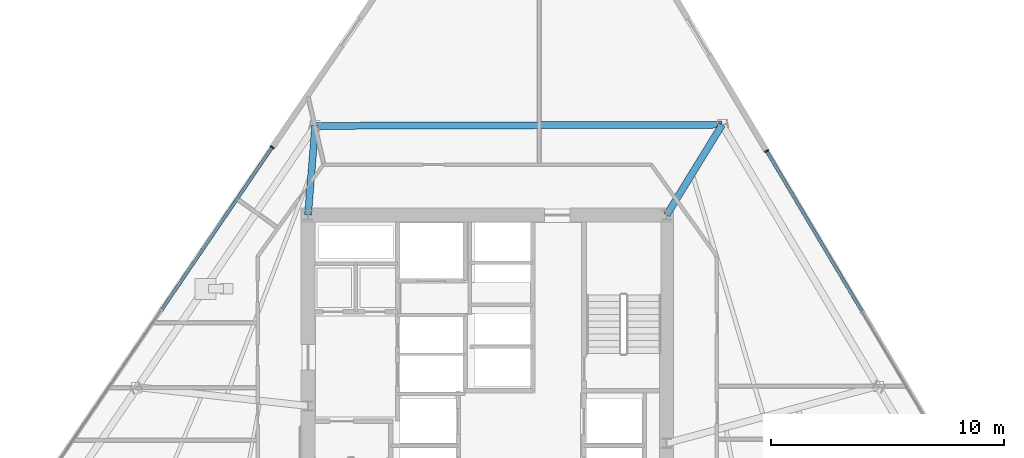
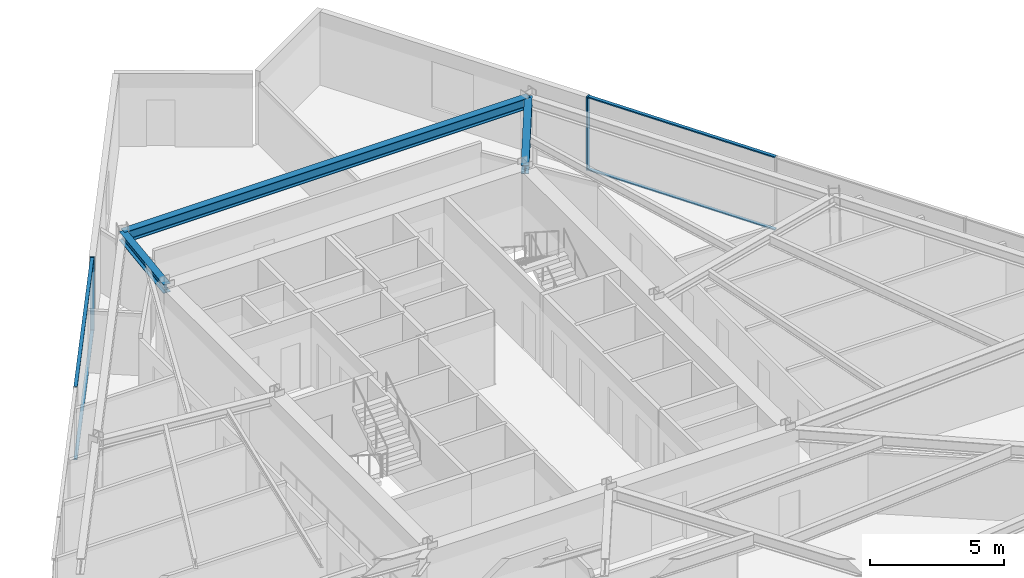
# One storey, part 6 of 15: 6 members, 3 beams, 2 elements without a shape of their own.
"""IFC4 building model written with IfcOpenShell, lengths in metres."""

from ifc_helpers import new_model, si_unit, direction, frame, origin, origin_2d, place, context, subcontext, project, spatial, rectangle, i_section, extrude, material, material_profile, profile_set, type_object, element, aggregate, save


model = new_model("IFC4")

# Units and contexts
model_context = context("Model", 3, precision=1e-05, world=origin(), true_north=direction((0.0, 1.0)))
body_context = subcontext(model_context, "Body", "Model", "MODEL_VIEW")
ifc_project = project(units=[si_unit("LENGTHUNIT", "METRE"), si_unit("AREAUNIT", "SQUARE_METRE"), si_unit("VOLUMEUNIT", "CUBIC_METRE"), si_unit("PLANEANGLEUNIT", "RADIAN"), si_unit("MASSUNIT", "GRAM", prefix="KILO")], contexts=[model_context])

# Site, building, storey
site_placement = place(None, origin())
site = spatial("IfcSite", under=ifc_project, at=site_placement, CompositionType="ELEMENT")
building_placement = place(site_placement, origin())
building = spatial("IfcBuilding", under=site, at=building_placement, Name="Savorim Split Tower", CompositionType="ELEMENT")
storey_placement = place(building_placement, frame((0.0, 0.0, 93.300048828125)))
storey = spatial("IfcBuildingStorey", under=building, at=storey_placement, Name="L24", CompositionType="ELEMENT", Elevation=93.300048828125)

# Beams
ifc_material_1 = material(Name="Steel S355", Category="steel")
ifc_material_profile_1 = material_profile(ifc_material_1, i_section(OverallWidth=0.300048828125, OverallDepth=0.39990234375, WebThickness=0.013427734375, FlangeThickness=0.02392578125, FilletRadius=0.027099609375, at=origin_2d()), Name="HEB 400")
ifc_profile_set_1 = profile_set([ifc_material_profile_1], Name="Steel S355")
beam_type_1 = type_object("IfcBeamType", Name="BM-PRI-HEB400", PredefinedType="BEAM", material=ifc_profile_set_1)
beam_1_placement = place(storey_placement, frame((10.082763671875, 14.076416015625, 3.14990234375), z_axis=(-0.523666281662, -0.851923485679, 0.0), x_axis=(0.851923485679, -0.523666281662, 0.0)))
element("IfcBeam", 1, at=beam_1_placement, inside=storey, type_object=beam_type_1, Name="L24 Primary Floor Girder RG-07", PredefinedType="BEAM", context=body_context, shape_type="SweptSolid", body=[
    extrude(i_section(OverallWidth=0.300048828125, OverallDepth=0.39990234375, WebThickness=0.013427734375, FlangeThickness=0.02392578125, FilletRadius=0.027099609375, at=origin_2d()), origin(), (0.0, 0.0, 1.0), 4.55029296875),
])
beam_2_placement = place(storey_placement, frame((-7.390380859375, 14.027587890625, 3.14990234375), z_axis=(-0.080614435296, -0.99674536007, 0.0), x_axis=(0.99674536007, -0.080614435296, 0.0)))
element("IfcBeam", 2, at=beam_2_placement, inside=storey, type_object=beam_type_1, Name="L24 Primary Floor Girder RG-08", PredefinedType="BEAM", context=body_context, shape_type="SweptSolid", body=[
    extrude(i_section(OverallWidth=0.300048828125, OverallDepth=0.39990234375, WebThickness=0.013427734375, FlangeThickness=0.02392578125, FilletRadius=0.027099609375, at=origin_2d()), origin(), (0.0, 0.0, 1.0), 3.840087890625),
])
ifc_material_profile_2 = material_profile(ifc_material_1, i_section(OverallWidth=0.300048828125, OverallDepth=0.489990234375, WebThickness=0.011962890625, FlangeThickness=0.02294921875, FilletRadius=0.027099609375, at=origin_2d()), Name="HEA 500")
ifc_profile_set_2 = profile_set([ifc_material_profile_2], Name="Steel S355")
beam_type_2 = type_object("IfcBeamType", Name="BM-SPN-HEA500", PredefinedType="SPANDREL", material=ifc_profile_set_2)
beam_3_placement = place(storey_placement, frame((10.082763671875, 14.076416015625, 3.10498046875), z_axis=(-0.9999960955, -0.002794456044, 0.0), x_axis=(0.002794456044, -0.9999960955, 0.0)))
element("IfcBeam", 3, at=beam_3_placement, inside=storey, type_object=beam_type_2, Name="L24 Perimeter Spandrel Beam 7", PredefinedType="SPANDREL", context=body_context, shape_type="SweptSolid", body=[
    extrude(i_section(OverallWidth=0.300048828125, OverallDepth=0.489990234375, WebThickness=0.011962890625, FlangeThickness=0.02294921875, FilletRadius=0.027099609375, at=origin_2d()), origin(), (0.0, 0.0, 1.0), 17.47314453125),
])

# Curtain wall, member
ifc_material_2 = material(Name="Dark Ceramic-Fritted Insulated Glass", Category="glass")
curtain_wall_type = type_object("IfcCurtainWallType", Name="CW-TWR-FRIT-A", PredefinedType="NOTDEFINED", material=ifc_material_2)
curtain_wall_1_placement = place(storey_placement, origin())
curtain_wall_1 = element("IfcCurtainWall", 4, at=curtain_wall_1_placement, inside=storey, type_object=curtain_wall_type, Name="L24 Curtain Wall CW-L24-EAST", PredefinedType="NOTDEFINED")
ifc_material_3 = material(Name="Charcoal Anodised Aluminium", Category="aluminium")
ifc_material_profile_3 = material_profile(ifc_material_3, rectangle(XDim=0.179931640625, YDim=0.06494140625, at=origin_2d()), Name="ALU-M 180x65")
ifc_profile_set_3 = profile_set([ifc_material_profile_3], Name="Charcoal Anodised Aluminium")
member_type_1 = type_object("IfcMemberType", Name="CWM-180x65", PredefinedType="MULLION", material=ifc_profile_set_3)
member_1_placement = place(storey_placement, frame((11.993408203125, 12.94482421875, 0.0), z_axis=(0.0, 0.0, 1.0), x_axis=(-0.859524537852, -0.511094481315, 0.0)))
member_1 = element("IfcMember", 5, at=member_1_placement, type_object=member_type_1, Name="CW-02 mullion 5", PredefinedType="MULLION", context=body_context, shape_type="SweptSolid", body=[
    extrude(rectangle(XDim=0.179931640625, YDim=0.06494140625, at=origin_2d()), origin(), (0.0, 0.0, 1.0), 3.349853515625),
])

curtain_wall_2_placement = place(storey_placement, origin())
curtain_wall_2 = element("IfcCurtainWall", 6, at=curtain_wall_2_placement, inside=storey, type_object=curtain_wall_type, Name="L24 Curtain Wall CW-L24-WEST", PredefinedType="NOTDEFINED")
member_2_placement = place(storey_placement, frame((-9.235595703125, 13.109130859375, 0.0), z_axis=(0.0, 0.0, 1.0), x_axis=(0.826819383915, -0.562467515846, 0.0)))
member_2 = element("IfcMember", 7, at=member_2_placement, type_object=member_type_1, Name="CW-02 mullion 1", PredefinedType="MULLION", context=body_context, shape_type="SweptSolid", body=[
    extrude(rectangle(XDim=0.179931640625, YDim=0.06494140625, at=origin_2d()), origin(), (0.0, 0.0, 1.0), 3.349853515625),
])

# Member
ifc_material_profile_4 = material_profile(ifc_material_3, rectangle(XDim=0.139892578125, YDim=0.054931640625, at=origin_2d()), Name="ALU-T 140x55")
ifc_profile_set_4 = profile_set([ifc_material_profile_4], Name="Charcoal Anodised Aluminium")
member_type_2 = type_object("IfcMemberType", Name="CWT-140x55", PredefinedType="USERDEFINED", material=ifc_profile_set_4)
member_3_placement = place(storey_placement, frame((16.090087890625, 6.05517578125, 0.02734375), z_axis=(-0.511082720603, 0.859531530952, 0.0), x_axis=(-0.859531530952, -0.511082720603, 0.0)))
member_3 = element("IfcMember", 8, at=member_3_placement, type_object=member_type_2, Name="CW-02 transom 4.1", ObjectType="TRANSOM", PredefinedType="USERDEFINED", context=body_context, shape_type="SweptSolid", body=[
    extrude(rectangle(XDim=0.139892578125, YDim=0.054931640625, at=origin_2d()), origin(), (0.0, 0.0, 1.0), 7.983154296875),
])

member_4_placement = place(storey_placement, frame((16.090087890625, 6.05517578125, 3.322509765625), z_axis=(-0.511082720603, 0.859531530952, 0.0), x_axis=(-0.859531530952, -0.511082720603, 0.0)))
member_4 = element("IfcMember", 9, at=member_4_placement, type_object=member_type_2, Name="CW-02 transom 4.2", ObjectType="TRANSOM", PredefinedType="USERDEFINED", context=body_context, shape_type="SweptSolid", body=[
    extrude(rectangle(XDim=0.139892578125, YDim=0.054931640625, at=origin_2d()), origin(), (0.0, 0.0, 1.0), 7.983154296875),
])

aggregate(curtain_wall_1, [member_1, member_3, member_4])

member_5_placement = place(storey_placement, frame((-9.253662109375, 13.082275390625, 0.02734375), z_axis=(-0.562465211689, -0.826820951379, 0.0), x_axis=(0.826820951379, -0.562465211689, 0.0)))
member_5 = element("IfcMember", 10, at=member_5_placement, type_object=member_type_2, Name="CW-02 transom 1.1", ObjectType="TRANSOM", PredefinedType="USERDEFINED", context=body_context, shape_type="SweptSolid", body=[
    extrude(rectangle(XDim=0.139892578125, YDim=0.054931640625, at=origin_2d()), origin(), (0.0, 0.0, 1.0), 8.390380859375),
])

member_6_placement = place(storey_placement, frame((-9.253662109375, 13.082275390625, 3.322509765625), z_axis=(-0.562465211689, -0.826820951379, 0.0), x_axis=(0.826820951379, -0.562465211689, 0.0)))
member_6 = element("IfcMember", 11, at=member_6_placement, type_object=member_type_2, Name="CW-02 transom 1.2", ObjectType="TRANSOM", PredefinedType="USERDEFINED", context=body_context, shape_type="SweptSolid", body=[
    extrude(rectangle(XDim=0.139892578125, YDim=0.054931640625, at=origin_2d()), origin(), (0.0, 0.0, 1.0), 8.390380859375),
])

aggregate(curtain_wall_2, [member_2, member_5, member_6])

save(model, "model.ifc")
